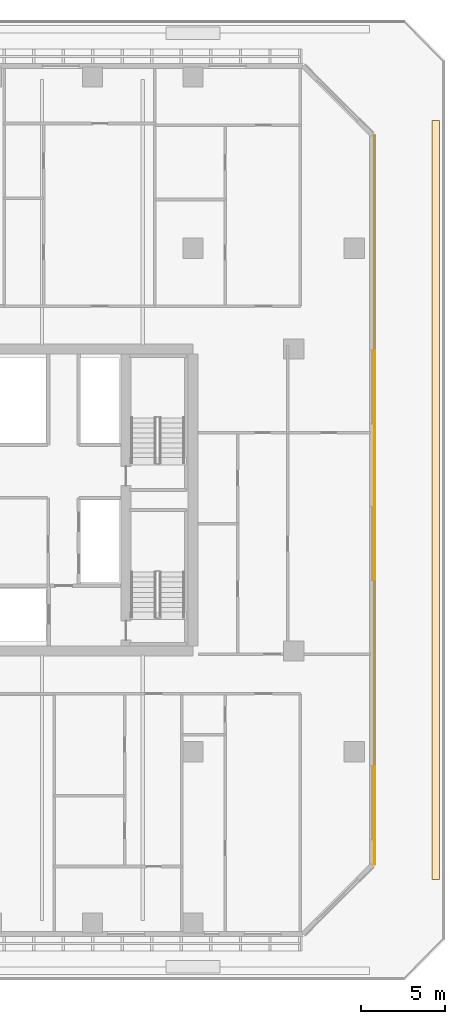
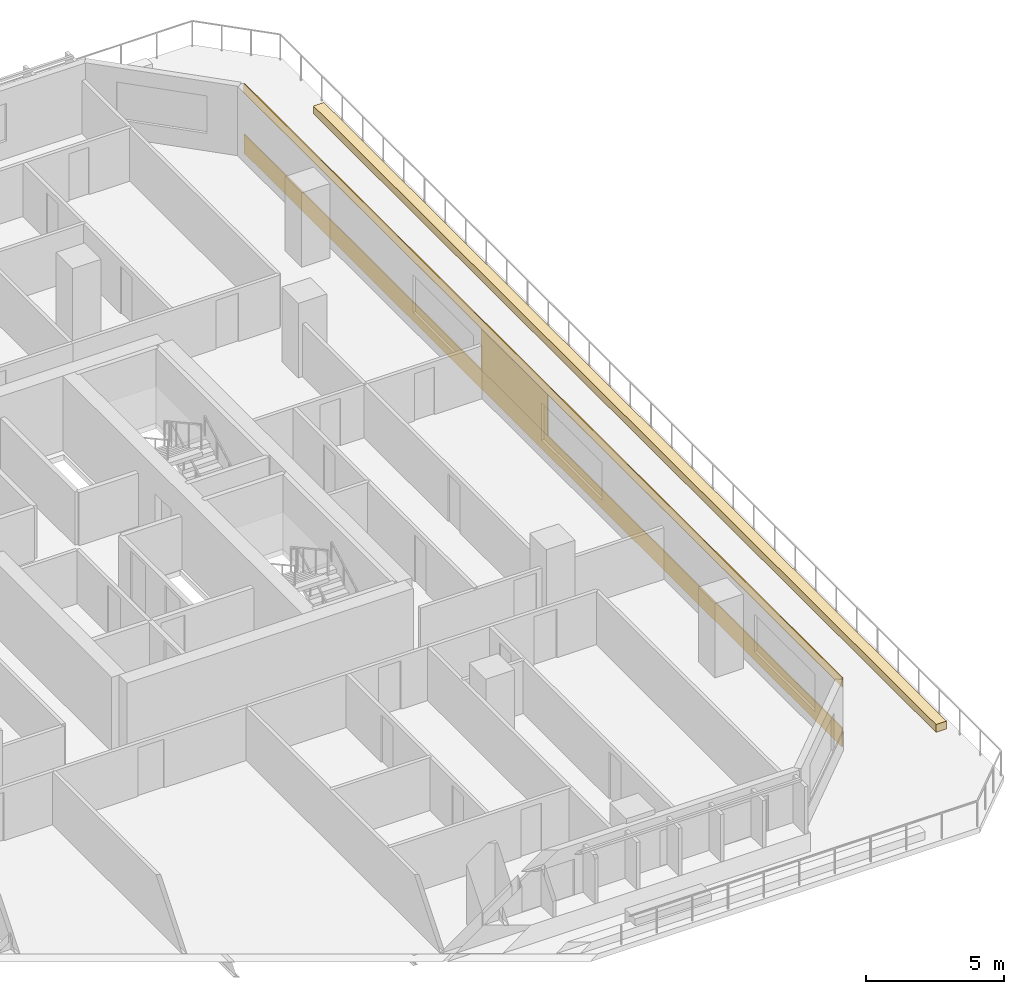
# One storey, part 21 of 23: 4 coverings.
"""IFC4 building model written with IfcOpenShell, lengths in metres."""

import ifcopenshell
import ifcopenshell.guid

model = None  # the IFC model being written
_history = None  # IfcOwnerHistory: only IFC2X3 demands one
_inside = {}  # id of a spatial element -> (the spatial element, [elements in it])
_under = {}  # id of a project, library or spatial element -> (it, [spatial elements below it])
_declared = {}  # id of a project -> (the project, [libraries it declares])
_typed = {}  # id of a type object -> (the type object, [elements of that type])
_made_of = {}  # id of a material, layer set ... -> (it, [elements and type objects made of it])


def new_model(schema):
    """Start an empty IFC model of exactly this schema.

    Asked for "IFC4X3", IfcOpenShell would pick the latest addendum, in which some entities
    have other attributes; the version numbers below select the first issue.
    IFC2X3 requires an IfcOwnerHistory on every rooted entity: one is made here for all.
    """
    global model, _history
    if schema == "IFC4X3":
        model = ifcopenshell.file(schema_version=(4, 3, 0, 0))
    else:
        model = ifcopenshell.file(schema=schema)
    _inside.clear()
    _under.clear()
    _declared.clear()
    _typed.clear()
    _made_of.clear()
    _history = None
    if model.schema == "IFC2X3":
        org = make("IfcOrganization", Name="unknown")
        user = make(
            "IfcPersonAndOrganization",
            ThePerson=make("IfcPerson", FamilyName="unknown"),
            TheOrganization=org,
        )
        app = make(
            "IfcApplication",
            ApplicationDeveloper=org,
            Version="unknown",
            ApplicationFullName="unknown",
            ApplicationIdentifier="unknown",
        )
        _history = make(
            "IfcOwnerHistory",
            OwningUser=user,
            OwningApplication=app,
            ChangeAction="ADDED",
            CreationDate=0,
        )
    return model


def make(cls, **values):
    """One entity of the class cls with the attributes given. An attribute that is None is left unset."""
    return model.create_entity(
        cls, **{name: value for name, value in values.items() if value is not None}
    )


def rooted(cls, **values):
    """An entity with a GlobalId (a new one), such as an element, a storey or a relation."""
    return make(cls, GlobalId=ifcopenshell.guid.new(), OwnerHistory=_history, **values)


def si_unit(unit_type, name, prefix=None):
    """IfcSIUnit, for example si_unit("LENGTHUNIT", "METRE", prefix="MILLI")."""
    return make("IfcSIUnit", UnitType=unit_type, Prefix=prefix, Name=name)


def assignment(units):
    """IfcUnitAssignment: the units of a project."""
    return None if units is None else make("IfcUnitAssignment", Units=units)


def point(xyz):
    """IfcCartesianPoint."""
    return None if xyz is None else make("IfcCartesianPoint", Coordinates=xyz)


def direction(xyz):
    """IfcDirection."""
    return None if xyz is None else make("IfcDirection", DirectionRatios=xyz)


def frame(location, z_axis=None, x_axis=None):
    """IfcAxis2Placement3D, a coordinate frame: its origin and axes. An axis left out is left unset."""
    return make(
        "IfcAxis2Placement3D",
        Location=point(location),
        Axis=direction(z_axis),
        RefDirection=direction(x_axis),
    )


def frame_2d(location, x_axis=None):
    """IfcAxis2Placement2D, a coordinate frame in the plane: its origin and x axis."""
    return make(
        "IfcAxis2Placement2D", Location=point(location), RefDirection=direction(x_axis)
    )


def origin():
    """The frame at (0, 0, 0) with its axes left unset."""
    return frame((0.0, 0.0, 0.0))


def origin_2d():
    """The frame at (0, 0) in the plane with its x axis left unset."""
    return frame_2d((0.0, 0.0))


def place(relative_to, where):
    """IfcLocalPlacement: puts the frame where relative to a parent placement (None: the world)."""
    return make(
        "IfcLocalPlacement", PlacementRelTo=relative_to, RelativePlacement=where
    )


def context(
    kind, dimensions, precision=None, world=None, true_north=None, identifier=None
):
    """IfcGeometricRepresentationContext, for example the 3D "Model" context."""
    return make(
        "IfcGeometricRepresentationContext",
        ContextIdentifier=identifier,
        ContextType=kind,
        CoordinateSpaceDimension=dimensions,
        Precision=precision,
        WorldCoordinateSystem=world,
        TrueNorth=true_north,
    )


def subcontext(parent, identifier, kind, view, scale=None):
    """IfcGeometricRepresentationSubContext, for example "Body" below "Model"."""
    return make(
        "IfcGeometricRepresentationSubContext",
        ContextIdentifier=identifier,
        ContextType=kind,
        ParentContext=parent,
        TargetScale=scale,
        TargetView=view,
    )


def project(units=None, contexts=None):
    """IfcProject with its units and contexts."""
    return rooted(
        "IfcProject",
        Name="project",
        RepresentationContexts=contexts,
        UnitsInContext=assignment(units),
    )


def spatial(cls, under=None, at=None, **own):
    """A site, building, storey or space (cls), placed at a placement, below another one or the project."""
    s = rooted(cls, ObjectPlacement=at, **own)
    if under is not None:
        _under.setdefault(under.id(), (under, []))[1].append(s)
    return s


def polyline(points):
    """IfcPolyline through the points."""
    return make("IfcPolyline", Points=[point(p) for p in points])


def profile(cls, at=None, kind="AREA", **sizes):
    """A parametric profile (cls). Its sizes go by their IFC names, for example OverallWidth=200.0."""
    return make(cls, ProfileType=kind, Position=at, **sizes)


def rectangle(**sizes):
    """IfcRectangleProfileDef."""
    return profile("IfcRectangleProfileDef", **sizes)


def outline(outer, holes=None, kind="AREA"):
    """IfcArbitraryClosedProfileDef: a profile drawn as a closed curve; with holes, ...WithVoids."""
    if holes is None:
        return make("IfcArbitraryClosedProfileDef", ProfileType=kind, OuterCurve=outer)
    return make(
        "IfcArbitraryProfileDefWithVoids",
        ProfileType=kind,
        OuterCurve=outer,
        InnerCurves=holes,
    )


def extrude(swept, where, along, depth):
    """IfcExtrudedAreaSolid: the profile swept, set in the frame where, extruded along a direction by depth."""
    return make(
        "IfcExtrudedAreaSolid",
        SweptArea=swept,
        Position=where,
        ExtrudedDirection=direction(along),
        Depth=depth,
    )


def shape(context_of_items, identifier, shape_type, items):
    """IfcShapeRepresentation: the items that make up one representation, for example the "Body"."""
    return make(
        "IfcShapeRepresentation",
        ContextOfItems=context_of_items,
        RepresentationIdentifier=identifier,
        RepresentationType=shape_type,
        Items=items,
    )


def material(Name=None, Category=None):
    """IfcMaterial."""
    return make("IfcMaterial", Name=Name, Category=Category)


def layer(
    of_material, thickness, ventilated=None, Name=None, Category=None, Priority=None
):
    """IfcMaterialLayer: one layer of a wall or slab, of a material (None: an air gap)."""
    return make(
        "IfcMaterialLayer",
        Material=of_material,
        LayerThickness=thickness,
        IsVentilated=ventilated,
        Name=Name,
        Category=Category,
        Priority=Priority,
    )


def layer_set(layers, Name=None):
    """IfcMaterialLayerSet."""
    return make("IfcMaterialLayerSet", MaterialLayers=layers, LayerSetName=Name)


def made_of(thing, what):
    """Note that an element or type object is made of a material, layer set ...; save() writes the relation."""
    if what is not None:
        _made_of.setdefault(what.id(), (what, []))[1].append(thing)
    return thing


def type_object(cls, material=None, **own):
    """A type object (cls), such as IfcWallType, which elements share."""
    return made_of(rooted(cls, **own), material)


def element(
    cls,
    number,
    at=None,
    inside=None,
    cuts=None,
    type_object=None,
    material=None,
    context=None,
    identifier="Body",
    shape_type=None,
    held_by="IfcProductDefinitionShape",
    body=None,
    shapes=None,
    **own,
):
    """One element of the class cls, such as IfcWall. Its Tag is "e" and its number.

    at: its placement. inside: the storey or other place that contains it. cuts: it is an
    opening in that element (IfcRelVoidsElement). A single representation is given by context,
    identifier, shape_type and body (its items); several are given by shapes. held_by: the class
    of the entity that holds the representations. save() writes the other relations.
    """
    e = rooted(cls, Tag="e%d" % number, ObjectPlacement=at, **own)
    if body is not None:
        shapes = [shape(context, identifier, shape_type, body)]
    if shapes is not None:
        e.Representation = make(held_by, Representations=shapes)
    if inside is not None:
        _inside.setdefault(inside.id(), (inside, []))[1].append(e)
    if cuts is not None:
        rooted(
            "IfcRelVoidsElement", RelatingBuildingElement=cuts, RelatedOpeningElement=e
        )
    if type_object is not None:
        _typed.setdefault(type_object.id(), (type_object, []))[1].append(e)
    return made_of(e, material)


def aggregate(whole, parts):
    """IfcRelAggregates: a whole, such as a stair, and the parts it consists of."""
    return rooted("IfcRelAggregates", RelatingObject=whole, RelatedObjects=parts)


def save(model, path):
    """Write the relations noted so far, then the file.

    IfcRelAggregates (storeys below a building ...), IfcRelContainedInSpatialStructure (elements
    in a storey), IfcRelDefinesByType, IfcRelAssociatesMaterial and IfcRelDeclares: one each for
    every whole, place, type object, material and project.
    """
    for whole, parts in _under.values():
        aggregate(whole, parts)
    for where, things in _inside.values():
        rooted(
            "IfcRelContainedInSpatialStructure",
            RelatedElements=things,
            RelatingStructure=where,
        )
    for kind, things in _typed.values():
        rooted("IfcRelDefinesByType", RelatedObjects=things, RelatingType=kind)
    for what, things in _made_of.values():
        rooted("IfcRelAssociatesMaterial", RelatedObjects=things, RelatingMaterial=what)
    for by, libraries in _declared.values():
        rooted("IfcRelDeclares", RelatingContext=by, RelatedDefinitions=libraries)
    model.write(path)


model = new_model("IFC4")

# Units and contexts
model_context = context("Model", 3, precision=1e-05, world=origin(), true_north=direction((0.0, 1.0)))
body_context = subcontext(model_context, "Body", "Model", "MODEL_VIEW")
ifc_project = project(units=[si_unit("LENGTHUNIT", "METRE"), si_unit("AREAUNIT", "SQUARE_METRE"), si_unit("VOLUMEUNIT", "CUBIC_METRE"), si_unit("PLANEANGLEUNIT", "RADIAN"), si_unit("MASSUNIT", "GRAM", prefix="KILO")], contexts=[model_context])

# Site, building, storey
site_placement = place(None, origin())
site = spatial("IfcSite", under=ifc_project, at=site_placement, CompositionType="ELEMENT")
building_placement = place(site_placement, origin())
building = spatial("IfcBuilding", under=site, at=building_placement, Name="Tanjung Sevakor Pilgrim Tower", CompositionType="ELEMENT")
storey_placement = place(building_placement, frame((0.0, 0.0, 29.0400390625)))
storey = spatial("IfcBuildingStorey", under=building, at=storey_placement, Name="L07", CompositionType="ELEMENT", Elevation=29.0400390625)

# Coverings
ifc_material_1 = material(Name="Reconstructed Limestone Cladding", Category="masonry")
ifc_layer_1 = layer(ifc_material_1, 0.044921875)
ifc_layer_set_1 = layer_set([ifc_layer_1], Name="COV-CLAD-LIMESTONE")
covering_type_1 = type_object("IfcCoveringType", Name="COV-CLAD-LIMESTONE", PredefinedType="CLADDING", material=ifc_layer_set_1)
covering_1_placement = place(storey_placement, frame((100.822509765625, 33.60009765625, 0.009765625), z_axis=(0.0, 0.0, 1.0), x_axis=(0.0, 1.0, 0.0)))
element("IfcCovering", 1, at=covering_1_placement, inside=storey, type_object=covering_type_1, Name="L07 Warm Limestone Sill Spandrel EW-L07-MAIN-7-1", PredefinedType="CLADDING", context=body_context, shape_type="SweptSolid", body=[
    extrude(rectangle(XDim=43.404052734375, YDim=0.044921875, at=origin_2d()), origin(), (0.0, 0.0, 1.0), 0.840087890625),
])
covering_2_placement = place(storey_placement, frame((100.822509765625, 33.60009765625, 2.66015625), z_axis=(0.0, 0.0, 1.0), x_axis=(0.0, 1.0, 0.0)))
element("IfcCovering", 2, at=covering_2_placement, inside=storey, type_object=covering_type_1, Name="L07 Warm Limestone Cornice Spandrel EW-L07-MAIN-7", PredefinedType="CLADDING", context=body_context, shape_type="SweptSolid", body=[
    extrude(rectangle(XDim=43.444091796875, YDim=0.044921875, at=origin_2d()), origin(), (0.0, 0.0, 1.0), 0.409912109375),
])
covering_3_placement = place(storey_placement, frame((100.822509765625, 35.679931640625, 0.849853515625), z_axis=(0.0, 0.0, 1.0), x_axis=(0.0, 1.0, 0.0)))
element("IfcCovering", 3, at=covering_3_placement, inside=storey, type_object=covering_type_1, Name="L07 Warm Limestone Pier Panel EW-L07-MAIN-7-2", PredefinedType="CLADDING", context=body_context, shape_type="SweptSolid", body=[
    extrude(rectangle(XDim=4.840087890625, YDim=0.044921875, at=origin_2d()), origin(), (0.0, 0.0, 1.0), 1.81005859375),
])
ifc_material_2 = material(Name="Vegetated Modular Planter Assembly", Category="organic")
ifc_layer_2 = layer(ifc_material_2, 0.35009765625)
ifc_layer_set_2 = layer_set([ifc_layer_2], Name="COV-GRN-TROUGH")
covering_type_2 = type_object("IfcCoveringType", Name="COV-GRN-TROUGH", PredefinedType="CLADDING", material=ifc_layer_set_2)
covering_4_placement = place(storey_placement, origin())
element("IfcCovering", 4, at=covering_4_placement, inside=storey, type_object=covering_type_2, Name="L07 Planted Landscape Hedge Trough PGRN-L07-E", PredefinedType="CLADDING", context=body_context, shape_type="SweptSolid", body=[
    extrude(outline(polyline([(104.669921875, 11.0), (104.669921875, 56.199951171875), (104.22998046875, 56.199951171875), (104.22998046875, 11.0), (104.669921875, 11.0)])), origin(), (0.0, 0.0, 1.0), 0.349853515625),
])

save(model, "model.ifc")
